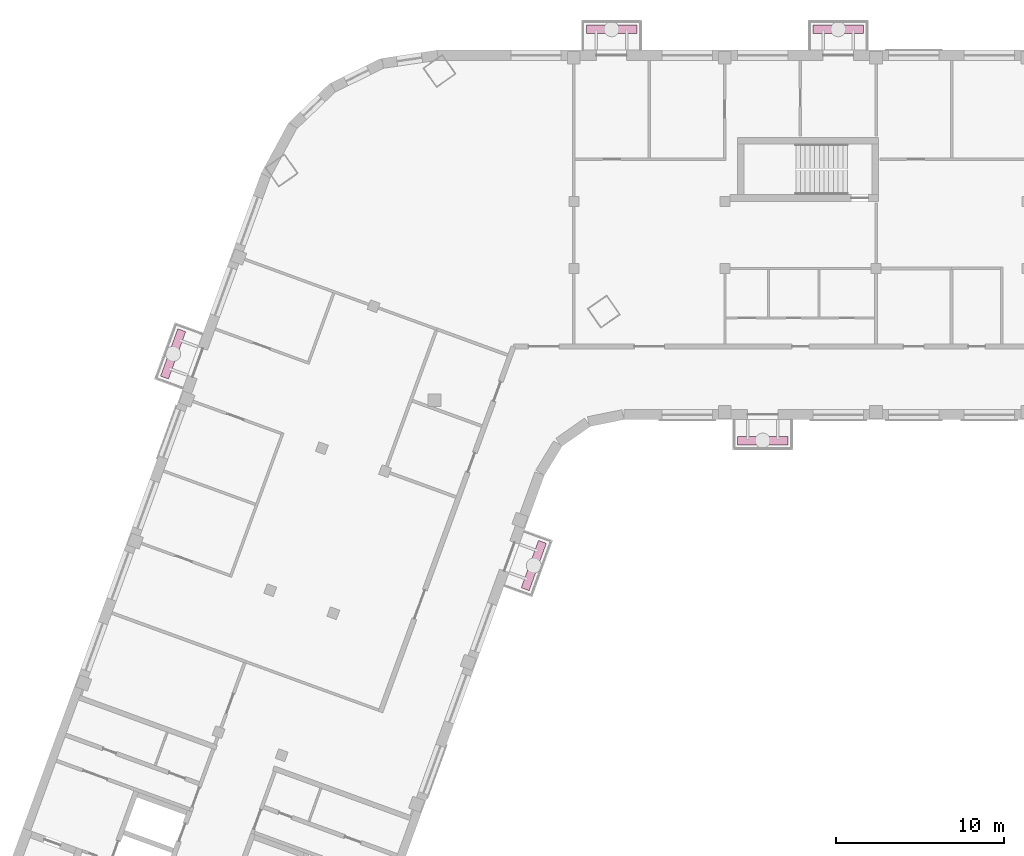
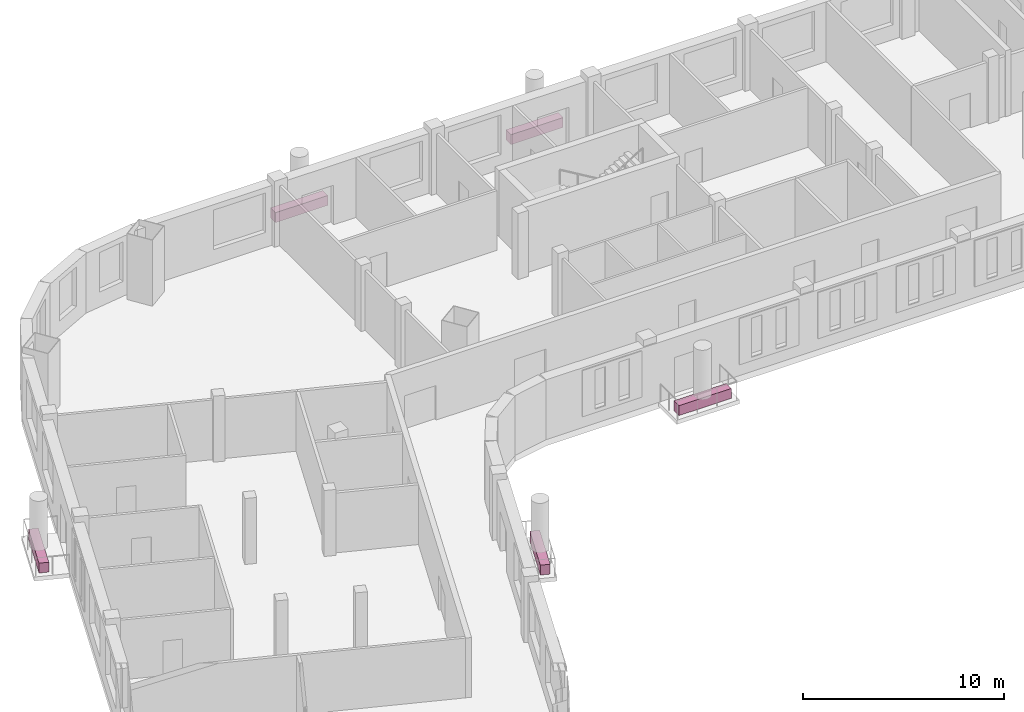
# One storey, part 9 of 10: 5 furniture elements.
"""IFC4 building model written with IfcOpenShell, lengths in metres."""

from ifc_helpers import new_model, si_unit, direction, frame, origin, origin_2d, place, context, subcontext, project, spatial, rectangle, extrude, element, save


model = new_model("IFC4")

# Units and contexts
model_context = context("Model", 3, precision=1e-05, world=origin(), true_north=direction((0.0, 1.0)))
body_context = subcontext(model_context, "Body", "Model", "MODEL_VIEW")
ifc_project = project(units=[si_unit("LENGTHUNIT", "METRE"), si_unit("AREAUNIT", "SQUARE_METRE"), si_unit("VOLUMEUNIT", "CUBIC_METRE"), si_unit("PLANEANGLEUNIT", "RADIAN"), si_unit("MASSUNIT", "GRAM", prefix="KILO")], contexts=[model_context])

# Site, building, storey
site_placement = place(None, origin())
site = spatial("IfcSite", under=ifc_project, at=site_placement, CompositionType="ELEMENT")
building_placement = place(site_placement, origin())
building = spatial("IfcBuilding", under=site, at=building_placement, Name="Skarvind Civic Tower", CompositionType="ELEMENT")
storey_placement = place(building_placement, frame((0.0, 0.0, 192.0)))
storey = spatial("IfcBuildingStorey", under=building, at=storey_placement, Name="L45", CompositionType="ELEMENT", Elevation=192.0)

# Furniture
for number, where, z_axis, x_axis, name in (
    (1, (51.867919921875, 108.305419921875, 0.0), (0.0, 0.0, 1.0), (-0.342020143326, -0.939692620786, 0.0), "TREE BALCONY PLANTER"),
    (2, (65.5, 115.75, 0.0), (0.0, 0.0, 1.0), (-1.0, 0.0, 0.0), "TREE BALCONY PLANTER"),
    (3, (56.5, 140.25, 0.0), (0.0, 0.0, 1.0), (1.0, 0.0, 0.0), "TREE BALCONY PLANTER"),
    (4, (70.0, 140.25, 0.0), (0.0, 0.0, 1.0), (1.0, 0.0, 0.0), "TREE BALCONY PLANTER"),
    (5, (30.384521484375, 120.91357421875, 0.0), (0.0, 0.0, 1.0), (0.342020143326, 0.939692620786, 0.0), "TREE BALCONY PLANTER"),
):
    element("IfcFurniture", number, at=place(storey_placement, frame(where, z_axis=z_axis, x_axis=x_axis)), inside=storey, Name=name, ObjectType="PLANTER", PredefinedType="USERDEFINED", context=body_context, shape_type="SweptSolid", body=[
        extrude(rectangle(XDim=3.0, YDim=0.5, at=origin_2d()), origin(), (0.0, 0.0, 1.0), 0.60009765625),
    ])

save(model, "model.ifc")
